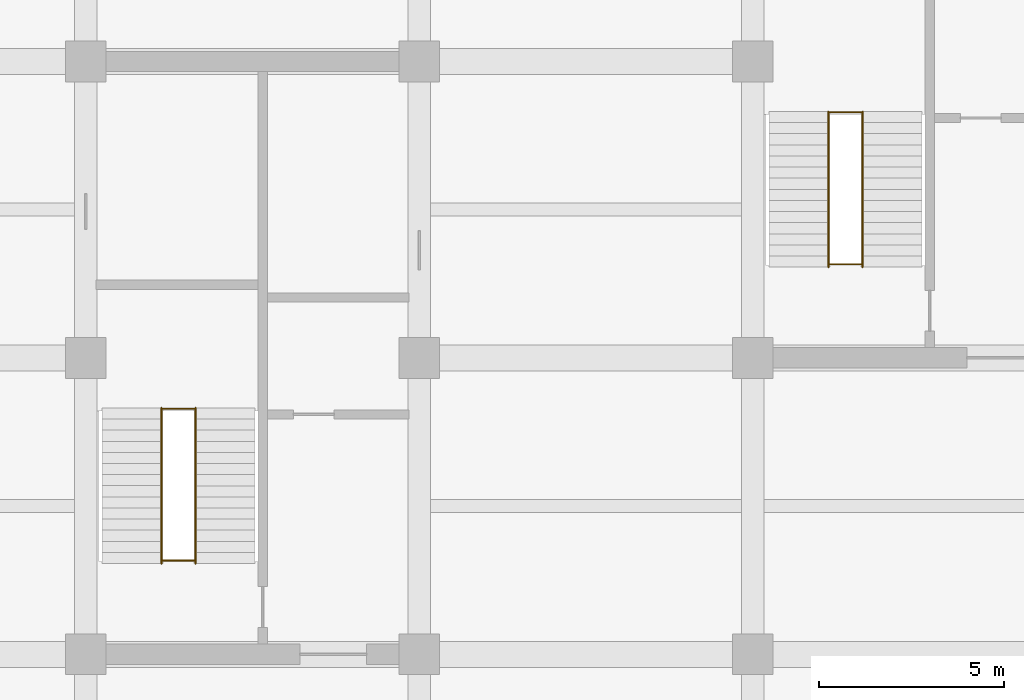
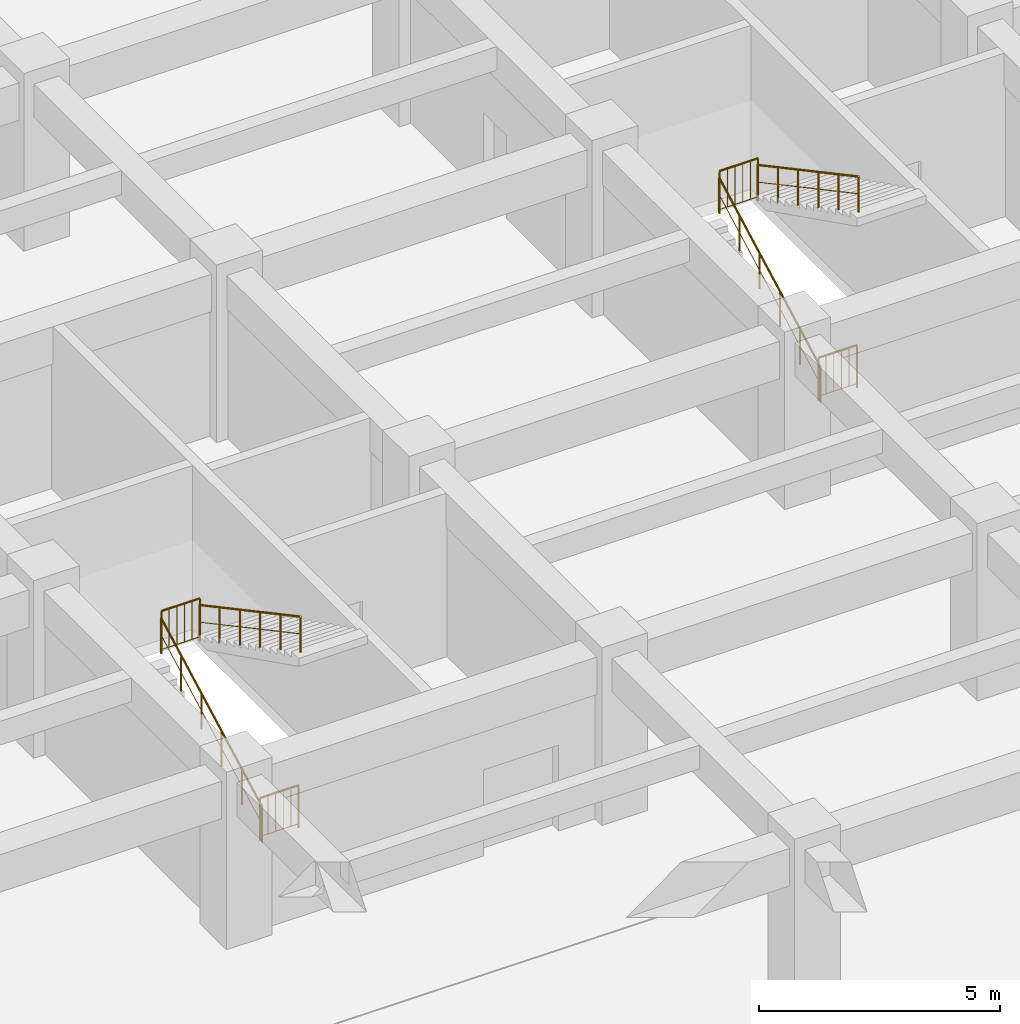
# One storey, part 21 of 26: 8 railings.
"""IFC4 building model written with IfcOpenShell, lengths in metres."""

import ifcopenshell
import ifcopenshell.guid

model = None  # the IFC model being written
_history = None  # IfcOwnerHistory: only IFC2X3 demands one
_inside = {}  # id of a spatial element -> (the spatial element, [elements in it])
_under = {}  # id of a project, library or spatial element -> (it, [spatial elements below it])
_declared = {}  # id of a project -> (the project, [libraries it declares])
_typed = {}  # id of a type object -> (the type object, [elements of that type])
_made_of = {}  # id of a material, layer set ... -> (it, [elements and type objects made of it])


def new_model(schema):
    """Start an empty IFC model of exactly this schema.

    Asked for "IFC4X3", IfcOpenShell would pick the latest addendum, in which some entities
    have other attributes; the version numbers below select the first issue.
    IFC2X3 requires an IfcOwnerHistory on every rooted entity: one is made here for all.
    """
    global model, _history
    if schema == "IFC4X3":
        model = ifcopenshell.file(schema_version=(4, 3, 0, 0))
    else:
        model = ifcopenshell.file(schema=schema)
    _inside.clear()
    _under.clear()
    _declared.clear()
    _typed.clear()
    _made_of.clear()
    _history = None
    if model.schema == "IFC2X3":
        org = make("IfcOrganization", Name="unknown")
        user = make(
            "IfcPersonAndOrganization",
            ThePerson=make("IfcPerson", FamilyName="unknown"),
            TheOrganization=org,
        )
        app = make(
            "IfcApplication",
            ApplicationDeveloper=org,
            Version="unknown",
            ApplicationFullName="unknown",
            ApplicationIdentifier="unknown",
        )
        _history = make(
            "IfcOwnerHistory",
            OwningUser=user,
            OwningApplication=app,
            ChangeAction="ADDED",
            CreationDate=0,
        )
    return model


def make(cls, **values):
    """One entity of the class cls with the attributes given. An attribute that is None is left unset."""
    return model.create_entity(
        cls, **{name: value for name, value in values.items() if value is not None}
    )


def rooted(cls, **values):
    """An entity with a GlobalId (a new one), such as an element, a storey or a relation."""
    return make(cls, GlobalId=ifcopenshell.guid.new(), OwnerHistory=_history, **values)


def si_unit(unit_type, name, prefix=None):
    """IfcSIUnit, for example si_unit("LENGTHUNIT", "METRE", prefix="MILLI")."""
    return make("IfcSIUnit", UnitType=unit_type, Prefix=prefix, Name=name)


def assignment(units):
    """IfcUnitAssignment: the units of a project."""
    return None if units is None else make("IfcUnitAssignment", Units=units)


def point(xyz):
    """IfcCartesianPoint."""
    return None if xyz is None else make("IfcCartesianPoint", Coordinates=xyz)


def direction(xyz):
    """IfcDirection."""
    return None if xyz is None else make("IfcDirection", DirectionRatios=xyz)


def frame(location, z_axis=None, x_axis=None):
    """IfcAxis2Placement3D, a coordinate frame: its origin and axes. An axis left out is left unset."""
    return make(
        "IfcAxis2Placement3D",
        Location=point(location),
        Axis=direction(z_axis),
        RefDirection=direction(x_axis),
    )


def frame_2d(location, x_axis=None):
    """IfcAxis2Placement2D, a coordinate frame in the plane: its origin and x axis."""
    return make(
        "IfcAxis2Placement2D", Location=point(location), RefDirection=direction(x_axis)
    )


def origin():
    """The frame at (0, 0, 0) with its axes left unset."""
    return frame((0.0, 0.0, 0.0))


def origin_2d():
    """The frame at (0, 0) in the plane with its x axis left unset."""
    return frame_2d((0.0, 0.0))


def place(relative_to, where):
    """IfcLocalPlacement: puts the frame where relative to a parent placement (None: the world)."""
    return make(
        "IfcLocalPlacement", PlacementRelTo=relative_to, RelativePlacement=where
    )


def context(
    kind, dimensions, precision=None, world=None, true_north=None, identifier=None
):
    """IfcGeometricRepresentationContext, for example the 3D "Model" context."""
    return make(
        "IfcGeometricRepresentationContext",
        ContextIdentifier=identifier,
        ContextType=kind,
        CoordinateSpaceDimension=dimensions,
        Precision=precision,
        WorldCoordinateSystem=world,
        TrueNorth=true_north,
    )


def subcontext(parent, identifier, kind, view, scale=None):
    """IfcGeometricRepresentationSubContext, for example "Body" below "Model"."""
    return make(
        "IfcGeometricRepresentationSubContext",
        ContextIdentifier=identifier,
        ContextType=kind,
        ParentContext=parent,
        TargetScale=scale,
        TargetView=view,
    )


def project(units=None, contexts=None):
    """IfcProject with its units and contexts."""
    return rooted(
        "IfcProject",
        Name="project",
        RepresentationContexts=contexts,
        UnitsInContext=assignment(units),
    )


def spatial(cls, under=None, at=None, **own):
    """A site, building, storey or space (cls), placed at a placement, below another one or the project."""
    s = rooted(cls, ObjectPlacement=at, **own)
    if under is not None:
        _under.setdefault(under.id(), (under, []))[1].append(s)
    return s


def profile(cls, at=None, kind="AREA", **sizes):
    """A parametric profile (cls). Its sizes go by their IFC names, for example OverallWidth=200.0."""
    return make(cls, ProfileType=kind, Position=at, **sizes)


def circle(**sizes):
    """IfcCircleProfileDef."""
    return profile("IfcCircleProfileDef", **sizes)


def extrude(swept, where, along, depth):
    """IfcExtrudedAreaSolid: the profile swept, set in the frame where, extruded along a direction by depth."""
    return make(
        "IfcExtrudedAreaSolid",
        SweptArea=swept,
        Position=where,
        ExtrudedDirection=direction(along),
        Depth=depth,
    )


def shape(context_of_items, identifier, shape_type, items):
    """IfcShapeRepresentation: the items that make up one representation, for example the "Body"."""
    return make(
        "IfcShapeRepresentation",
        ContextOfItems=context_of_items,
        RepresentationIdentifier=identifier,
        RepresentationType=shape_type,
        Items=items,
    )


def material(Name=None, Category=None):
    """IfcMaterial."""
    return make("IfcMaterial", Name=Name, Category=Category)


def layer(
    of_material, thickness, ventilated=None, Name=None, Category=None, Priority=None
):
    """IfcMaterialLayer: one layer of a wall or slab, of a material (None: an air gap)."""
    return make(
        "IfcMaterialLayer",
        Material=of_material,
        LayerThickness=thickness,
        IsVentilated=ventilated,
        Name=Name,
        Category=Category,
        Priority=Priority,
    )


def layer_set(layers, Name=None):
    """IfcMaterialLayerSet."""
    return make("IfcMaterialLayerSet", MaterialLayers=layers, LayerSetName=Name)


def made_of(thing, what):
    """Note that an element or type object is made of a material, layer set ...; save() writes the relation."""
    if what is not None:
        _made_of.setdefault(what.id(), (what, []))[1].append(thing)
    return thing


def type_object(cls, material=None, **own):
    """A type object (cls), such as IfcWallType, which elements share."""
    return made_of(rooted(cls, **own), material)


def element(
    cls,
    number,
    at=None,
    inside=None,
    cuts=None,
    type_object=None,
    material=None,
    context=None,
    identifier="Body",
    shape_type=None,
    held_by="IfcProductDefinitionShape",
    body=None,
    shapes=None,
    **own,
):
    """One element of the class cls, such as IfcWall. Its Tag is "e" and its number.

    at: its placement. inside: the storey or other place that contains it. cuts: it is an
    opening in that element (IfcRelVoidsElement). A single representation is given by context,
    identifier, shape_type and body (its items); several are given by shapes. held_by: the class
    of the entity that holds the representations. save() writes the other relations.
    """
    e = rooted(cls, Tag="e%d" % number, ObjectPlacement=at, **own)
    if body is not None:
        shapes = [shape(context, identifier, shape_type, body)]
    if shapes is not None:
        e.Representation = make(held_by, Representations=shapes)
    if inside is not None:
        _inside.setdefault(inside.id(), (inside, []))[1].append(e)
    if cuts is not None:
        rooted(
            "IfcRelVoidsElement", RelatingBuildingElement=cuts, RelatedOpeningElement=e
        )
    if type_object is not None:
        _typed.setdefault(type_object.id(), (type_object, []))[1].append(e)
    return made_of(e, material)


def aggregate(whole, parts):
    """IfcRelAggregates: a whole, such as a stair, and the parts it consists of."""
    return rooted("IfcRelAggregates", RelatingObject=whole, RelatedObjects=parts)


def save(model, path):
    """Write the relations noted so far, then the file.

    IfcRelAggregates (storeys below a building ...), IfcRelContainedInSpatialStructure (elements
    in a storey), IfcRelDefinesByType, IfcRelAssociatesMaterial and IfcRelDeclares: one each for
    every whole, place, type object, material and project.
    """
    for whole, parts in _under.values():
        aggregate(whole, parts)
    for where, things in _inside.values():
        rooted(
            "IfcRelContainedInSpatialStructure",
            RelatedElements=things,
            RelatingStructure=where,
        )
    for kind, things in _typed.values():
        rooted("IfcRelDefinesByType", RelatedObjects=things, RelatingType=kind)
    for what, things in _made_of.values():
        rooted("IfcRelAssociatesMaterial", RelatedObjects=things, RelatingMaterial=what)
    for by, libraries in _declared.values():
        rooted("IfcRelDeclares", RelatingContext=by, RelatedDefinitions=libraries)
    model.write(path)


model = new_model("IFC4")

# Units and contexts
model_context = context("Model", 3, precision=1e-05, world=origin(), true_north=direction((0.0, 1.0)))
body_context = subcontext(model_context, "Body", "Model", "MODEL_VIEW")
ifc_project = project(units=[si_unit("LENGTHUNIT", "METRE"), si_unit("AREAUNIT", "SQUARE_METRE"), si_unit("VOLUMEUNIT", "CUBIC_METRE"), si_unit("PLANEANGLEUNIT", "RADIAN"), si_unit("MASSUNIT", "GRAM", prefix="KILO")], contexts=[model_context])

# Site, building, storey
site_placement = place(None, origin())
site = spatial("IfcSite", under=ifc_project, at=site_placement, CompositionType="ELEMENT")
building_placement = place(site_placement, origin())
building = spatial("IfcBuilding", under=site, at=building_placement, Name="Zaverband Oceanarium and Marine Research Institute", CompositionType="ELEMENT")
storey_placement = place(building_placement, frame((0.0, 0.0, -4.5)))
storey = spatial("IfcBuildingStorey", under=building, at=storey_placement, Name="B1", CompositionType="ELEMENT", Elevation=-4.5)

# Railings
ifc_material = material(Name="Steel S355", Category="steel")
ifc_layer_1 = layer(ifc_material, 0.06005859375, Name="Steel S355")
ifc_layer_set_1 = layer_set([ifc_layer_1], Name="Steel S355")
railing_type_1 = type_object("IfcRailingType", Name="GRD-1100", PredefinedType="BALUSTRADE", material=ifc_layer_set_1)
for number, where, name in (
    (1, (20.0400390625, 86.6298828125, 2.25), "1100 mm steel post-and-baluster safety guard GRD-1100"),
    (2, (20.0400390625, 82.530029296875, 0.0), "1100 mm steel post-and-baluster safety guard GRD-1100"),
    (3, (38.0400390625, 94.6298828125, 2.25), "1100 mm steel post-and-baluster safety guard GRD-1100"),
    (4, (38.0400390625, 90.530029296875, 0.0), "1100 mm steel post-and-baluster safety guard GRD-1100"),
):
    element("IfcRailing", number, at=place(storey_placement, frame(where)), inside=storey, type_object=railing_type_1, Name=name, PredefinedType="BALUSTRADE", context=body_context, shape_type="SweptSolid", body=[
        extrude(circle(Radius=0.02392578125, at=origin_2d()), frame((0.0, 0.0, 1.076171875), z_axis=(1.0, 0.0, 0.0), x_axis=(0.0, 1.0, 0.0)), (0.0, 0.0, 1.0), 0.919921875),
        extrude(circle(Radius=0.009033203125, at=origin_2d()), frame((0.0, 0.0, 0.10009765625), z_axis=(1.0, 0.0, 0.0), x_axis=(0.0, 1.0, 0.0)), (0.0, 0.0, 1.0), 0.919921875),
        extrude(circle(Radius=0.009033203125, at=origin_2d()), frame((0.18408203125, 0.0, 0.10009765625)), (0.0, 0.0, 1.0), 0.951904296875),
        extrude(circle(Radius=0.009033203125, at=origin_2d()), frame((0.367919921875, 0.0, 0.10009765625)), (0.0, 0.0, 1.0), 0.951904296875),
        extrude(circle(Radius=0.009033203125, at=origin_2d()), frame((0.552001953125, 0.0, 0.10009765625)), (0.0, 0.0, 1.0), 0.951904296875),
        extrude(circle(Radius=0.009033203125, at=origin_2d()), frame((0.73583984375, 0.0, 0.10009765625)), (0.0, 0.0, 1.0), 0.951904296875),
        extrude(circle(Radius=0.02099609375, at=origin_2d()), origin(), (0.0, 0.0, 1.0), 1.052001953125),
        extrude(circle(Radius=0.02099609375, at=origin_2d()), frame((0.919921875, 0.0, 0.0)), (0.0, 0.0, 1.0), 1.052001953125),
    ])
ifc_layer_2 = layer(ifc_material, 0.050048828125, Name="Steel S355")
ifc_layer_set_2 = layer_set([ifc_layer_2], Name="Steel S355")
railing_type_2 = type_object("IfcRailingType", Name="HR-920", PredefinedType="HANDRAIL", material=ifc_layer_set_2)
railing_1_placement = place(storey_placement, frame((20.0400390625, 82.449951171875, 0.0)))
element("IfcRailing", 5, at=railing_1_placement, inside=storey, type_object=railing_type_2, Name="920 mm continuous tubular stair and ramp handrail HR-920", PredefinedType="HANDRAIL", context=body_context, shape_type="SweptSolid", body=[
    extrude(circle(Radius=0.02392578125, at=origin_2d()), frame((0.0, 0.0, 0.89599609375), z_axis=(0.0, 0.881477684796, 0.472225678258), x_axis=(-1.0, 0.0, 0.0)), (0.0, 0.0, 1.0), 4.7646484375),
    extrude(circle(Radius=0.009033203125, at=origin_2d()), frame((0.0, 0.0, 0.4599609375), z_axis=(0.0, 0.881477684796, 0.472225678258), x_axis=(-1.0, 0.0, 0.0)), (0.0, 0.0, 1.0), 4.7646484375),
    extrude(circle(Radius=0.02099609375, at=origin_2d()), origin(), (0.0, 0.0, 1.0), 0.871826171875),
    extrude(circle(Radius=0.02099609375, at=origin_2d()), frame((0.0, 0.840087890625, 0.449951171875)), (0.0, 0.0, 1.0), 0.871826171875),
    extrude(circle(Radius=0.02099609375, at=origin_2d()), frame((0.0, 1.679931640625, 0.89990234375)), (0.0, 0.0, 1.0), 0.871826171875),
    extrude(circle(Radius=0.02099609375, at=origin_2d()), frame((0.0, 2.52001953125, 1.35009765625)), (0.0, 0.0, 1.0), 0.871826171875),
    extrude(circle(Radius=0.02099609375, at=origin_2d()), frame((0.0, 3.35986328125, 1.800048828125)), (0.0, 0.0, 1.0), 0.871826171875),
    extrude(circle(Radius=0.02099609375, at=origin_2d()), frame((0.0, 4.199951171875, 2.25)), (0.0, 0.0, 1.0), 0.871826171875),
])
railing_2_placement = place(storey_placement, frame((20.9599609375, 86.64990234375, 2.25)))
element("IfcRailing", 6, at=railing_2_placement, inside=storey, type_object=railing_type_2, Name="920 mm continuous tubular stair and ramp handrail HR-920", PredefinedType="HANDRAIL", context=body_context, shape_type="SweptSolid", body=[
    extrude(circle(Radius=0.02392578125, at=origin_2d()), frame((0.0, 0.0, 0.89599609375), z_axis=(0.0, -0.881477684796, 0.472225678258), x_axis=(1.0, 0.0, 0.0)), (0.0, 0.0, 1.0), 4.7646484375),
    extrude(circle(Radius=0.009033203125, at=origin_2d()), frame((0.0, 0.0, 0.4599609375), z_axis=(0.0, -0.881477684796, 0.472225678258), x_axis=(1.0, 0.0, 0.0)), (0.0, 0.0, 1.0), 4.7646484375),
    extrude(circle(Radius=0.02099609375, at=origin_2d()), origin(), (0.0, 0.0, 1.0), 0.871826171875),
    extrude(circle(Radius=0.02099609375, at=origin_2d()), frame((0.0, -0.840087890625, 0.449951171875)), (0.0, 0.0, 1.0), 0.871826171875),
    extrude(circle(Radius=0.02099609375, at=origin_2d()), frame((0.0, -1.679931640625, 0.89990234375)), (0.0, 0.0, 1.0), 0.871826171875),
    extrude(circle(Radius=0.02099609375, at=origin_2d()), frame((0.0, -2.52001953125, 1.35009765625)), (0.0, 0.0, 1.0), 0.871826171875),
    extrude(circle(Radius=0.02099609375, at=origin_2d()), frame((0.0, -3.35986328125, 1.800048828125)), (0.0, 0.0, 1.0), 0.871826171875),
    extrude(circle(Radius=0.02099609375, at=origin_2d()), frame((0.0, -4.199951171875, 2.25)), (0.0, 0.0, 1.0), 0.871826171875),
])
railing_3_placement = place(storey_placement, frame((38.0400390625, 90.449951171875, 0.0)))
element("IfcRailing", 7, at=railing_3_placement, inside=storey, type_object=railing_type_2, Name="920 mm continuous tubular stair and ramp handrail HR-920", PredefinedType="HANDRAIL", context=body_context, shape_type="SweptSolid", body=[
    extrude(circle(Radius=0.02392578125, at=origin_2d()), frame((0.0, 0.0, 0.89599609375), z_axis=(0.0, 0.881477684796, 0.472225678258), x_axis=(-1.0, 0.0, 0.0)), (0.0, 0.0, 1.0), 4.7646484375),
    extrude(circle(Radius=0.009033203125, at=origin_2d()), frame((0.0, 0.0, 0.4599609375), z_axis=(0.0, 0.881477684796, 0.472225678258), x_axis=(-1.0, 0.0, 0.0)), (0.0, 0.0, 1.0), 4.7646484375),
    extrude(circle(Radius=0.02099609375, at=origin_2d()), origin(), (0.0, 0.0, 1.0), 0.871826171875),
    extrude(circle(Radius=0.02099609375, at=origin_2d()), frame((0.0, 0.840087890625, 0.449951171875)), (0.0, 0.0, 1.0), 0.871826171875),
    extrude(circle(Radius=0.02099609375, at=origin_2d()), frame((0.0, 1.679931640625, 0.89990234375)), (0.0, 0.0, 1.0), 0.871826171875),
    extrude(circle(Radius=0.02099609375, at=origin_2d()), frame((0.0, 2.52001953125, 1.35009765625)), (0.0, 0.0, 1.0), 0.871826171875),
    extrude(circle(Radius=0.02099609375, at=origin_2d()), frame((0.0, 3.35986328125, 1.800048828125)), (0.0, 0.0, 1.0), 0.871826171875),
    extrude(circle(Radius=0.02099609375, at=origin_2d()), frame((0.0, 4.199951171875, 2.25)), (0.0, 0.0, 1.0), 0.871826171875),
])
railing_4_placement = place(storey_placement, frame((38.9599609375, 94.64990234375, 2.25)))
element("IfcRailing", 8, at=railing_4_placement, inside=storey, type_object=railing_type_2, Name="920 mm continuous tubular stair and ramp handrail HR-920", PredefinedType="HANDRAIL", context=body_context, shape_type="SweptSolid", body=[
    extrude(circle(Radius=0.02392578125, at=origin_2d()), frame((0.0, 0.0, 0.89599609375), z_axis=(0.0, -0.881477684796, 0.472225678258), x_axis=(1.0, 0.0, 0.0)), (0.0, 0.0, 1.0), 4.7646484375),
    extrude(circle(Radius=0.009033203125, at=origin_2d()), frame((0.0, 0.0, 0.4599609375), z_axis=(0.0, -0.881477684796, 0.472225678258), x_axis=(1.0, 0.0, 0.0)), (0.0, 0.0, 1.0), 4.7646484375),
    extrude(circle(Radius=0.02099609375, at=origin_2d()), origin(), (0.0, 0.0, 1.0), 0.871826171875),
    extrude(circle(Radius=0.02099609375, at=origin_2d()), frame((0.0, -0.840087890625, 0.449951171875)), (0.0, 0.0, 1.0), 0.871826171875),
    extrude(circle(Radius=0.02099609375, at=origin_2d()), frame((0.0, -1.679931640625, 0.89990234375)), (0.0, 0.0, 1.0), 0.871826171875),
    extrude(circle(Radius=0.02099609375, at=origin_2d()), frame((0.0, -2.52001953125, 1.35009765625)), (0.0, 0.0, 1.0), 0.871826171875),
    extrude(circle(Radius=0.02099609375, at=origin_2d()), frame((0.0, -3.35986328125, 1.800048828125)), (0.0, 0.0, 1.0), 0.871826171875),
    extrude(circle(Radius=0.02099609375, at=origin_2d()), frame((0.0, -4.199951171875, 2.25)), (0.0, 0.0, 1.0), 0.871826171875),
])

save(model, "model.ifc")
